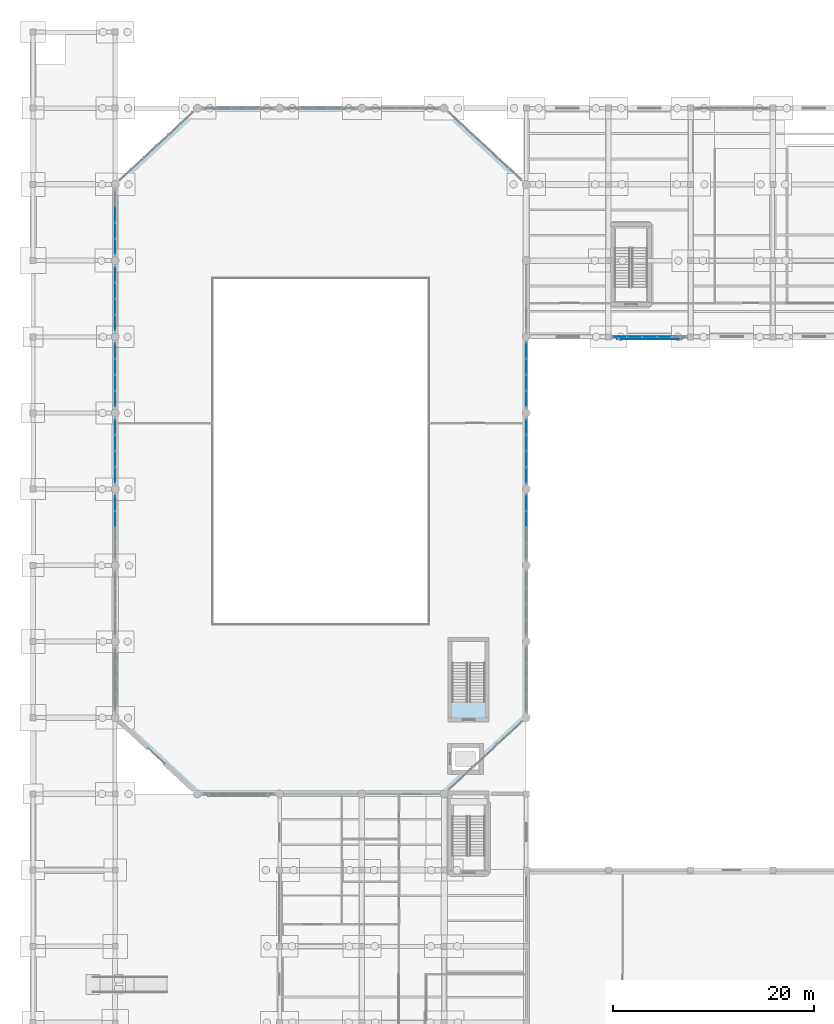
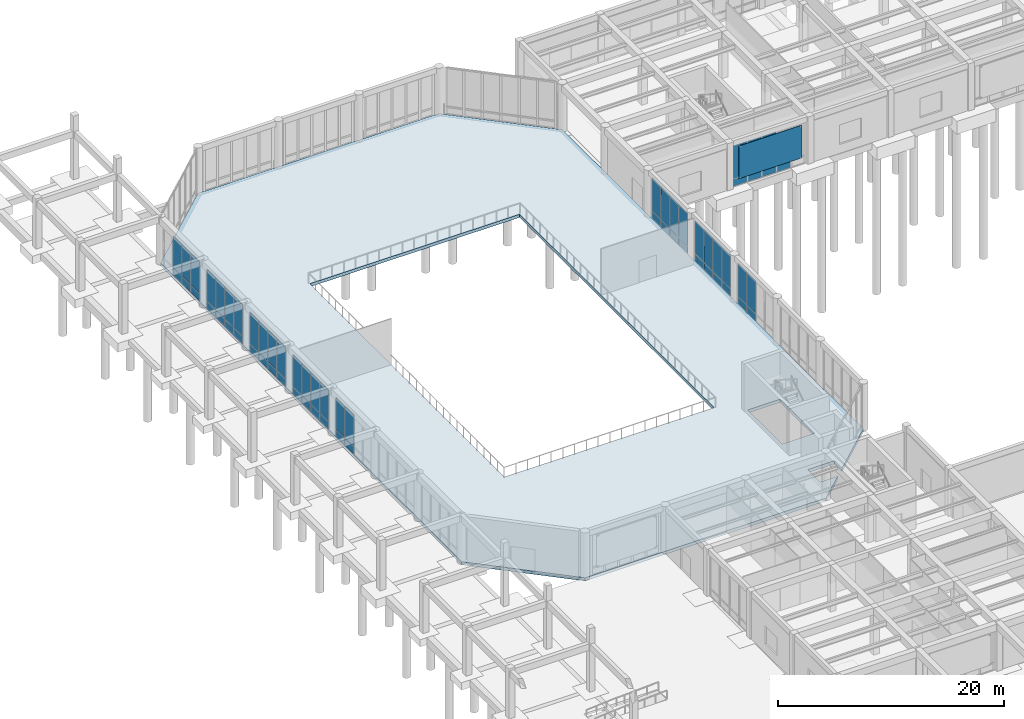
# One storey, part 38 of 64: 62 plates, 1 slab, 9 elements without a shape of their own.
"""IFC4 building model written with IfcOpenShell, lengths in metres."""

import ifcopenshell
import ifcopenshell.guid

model = None  # the IFC model being written
_history = None  # IfcOwnerHistory: only IFC2X3 demands one
_inside = {}  # id of a spatial element -> (the spatial element, [elements in it])
_under = {}  # id of a project, library or spatial element -> (it, [spatial elements below it])
_declared = {}  # id of a project -> (the project, [libraries it declares])
_typed = {}  # id of a type object -> (the type object, [elements of that type])
_made_of = {}  # id of a material, layer set ... -> (it, [elements and type objects made of it])


def new_model(schema):
    """Start an empty IFC model of exactly this schema.

    Asked for "IFC4X3", IfcOpenShell would pick the latest addendum, in which some entities
    have other attributes; the version numbers below select the first issue.
    IFC2X3 requires an IfcOwnerHistory on every rooted entity: one is made here for all.
    """
    global model, _history
    if schema == "IFC4X3":
        model = ifcopenshell.file(schema_version=(4, 3, 0, 0))
    else:
        model = ifcopenshell.file(schema=schema)
    _inside.clear()
    _under.clear()
    _declared.clear()
    _typed.clear()
    _made_of.clear()
    _history = None
    if model.schema == "IFC2X3":
        org = make("IfcOrganization", Name="unknown")
        user = make(
            "IfcPersonAndOrganization",
            ThePerson=make("IfcPerson", FamilyName="unknown"),
            TheOrganization=org,
        )
        app = make(
            "IfcApplication",
            ApplicationDeveloper=org,
            Version="unknown",
            ApplicationFullName="unknown",
            ApplicationIdentifier="unknown",
        )
        _history = make(
            "IfcOwnerHistory",
            OwningUser=user,
            OwningApplication=app,
            ChangeAction="ADDED",
            CreationDate=0,
        )
    return model


def make(cls, **values):
    """One entity of the class cls with the attributes given. An attribute that is None is left unset."""
    return model.create_entity(
        cls, **{name: value for name, value in values.items() if value is not None}
    )


def rooted(cls, **values):
    """An entity with a GlobalId (a new one), such as an element, a storey or a relation."""
    return make(cls, GlobalId=ifcopenshell.guid.new(), OwnerHistory=_history, **values)


def si_unit(unit_type, name, prefix=None):
    """IfcSIUnit, for example si_unit("LENGTHUNIT", "METRE", prefix="MILLI")."""
    return make("IfcSIUnit", UnitType=unit_type, Prefix=prefix, Name=name)


def assignment(units):
    """IfcUnitAssignment: the units of a project."""
    return None if units is None else make("IfcUnitAssignment", Units=units)


def point(xyz):
    """IfcCartesianPoint."""
    return None if xyz is None else make("IfcCartesianPoint", Coordinates=xyz)


def direction(xyz):
    """IfcDirection."""
    return None if xyz is None else make("IfcDirection", DirectionRatios=xyz)


def frame(location, z_axis=None, x_axis=None):
    """IfcAxis2Placement3D, a coordinate frame: its origin and axes. An axis left out is left unset."""
    return make(
        "IfcAxis2Placement3D",
        Location=point(location),
        Axis=direction(z_axis),
        RefDirection=direction(x_axis),
    )


def frame_2d(location, x_axis=None):
    """IfcAxis2Placement2D, a coordinate frame in the plane: its origin and x axis."""
    return make(
        "IfcAxis2Placement2D", Location=point(location), RefDirection=direction(x_axis)
    )


def origin():
    """The frame at (0, 0, 0) with its axes left unset."""
    return frame((0.0, 0.0, 0.0))


def origin_2d():
    """The frame at (0, 0) in the plane with its x axis left unset."""
    return frame_2d((0.0, 0.0))


def place(relative_to, where):
    """IfcLocalPlacement: puts the frame where relative to a parent placement (None: the world)."""
    return make(
        "IfcLocalPlacement", PlacementRelTo=relative_to, RelativePlacement=where
    )


def context(
    kind, dimensions, precision=None, world=None, true_north=None, identifier=None
):
    """IfcGeometricRepresentationContext, for example the 3D "Model" context."""
    return make(
        "IfcGeometricRepresentationContext",
        ContextIdentifier=identifier,
        ContextType=kind,
        CoordinateSpaceDimension=dimensions,
        Precision=precision,
        WorldCoordinateSystem=world,
        TrueNorth=true_north,
    )


def subcontext(parent, identifier, kind, view, scale=None):
    """IfcGeometricRepresentationSubContext, for example "Body" below "Model"."""
    return make(
        "IfcGeometricRepresentationSubContext",
        ContextIdentifier=identifier,
        ContextType=kind,
        ParentContext=parent,
        TargetScale=scale,
        TargetView=view,
    )


def project(units=None, contexts=None):
    """IfcProject with its units and contexts."""
    return rooted(
        "IfcProject",
        Name="project",
        RepresentationContexts=contexts,
        UnitsInContext=assignment(units),
    )


def spatial(cls, under=None, at=None, **own):
    """A site, building, storey or space (cls), placed at a placement, below another one or the project."""
    s = rooted(cls, ObjectPlacement=at, **own)
    if under is not None:
        _under.setdefault(under.id(), (under, []))[1].append(s)
    return s


def polyline(points):
    """IfcPolyline through the points."""
    return make("IfcPolyline", Points=[point(p) for p in points])


def profile(cls, at=None, kind="AREA", **sizes):
    """A parametric profile (cls). Its sizes go by their IFC names, for example OverallWidth=200.0."""
    return make(cls, ProfileType=kind, Position=at, **sizes)


def rectangle(**sizes):
    """IfcRectangleProfileDef."""
    return profile("IfcRectangleProfileDef", **sizes)


def outline(outer, holes=None, kind="AREA"):
    """IfcArbitraryClosedProfileDef: a profile drawn as a closed curve; with holes, ...WithVoids."""
    if holes is None:
        return make("IfcArbitraryClosedProfileDef", ProfileType=kind, OuterCurve=outer)
    return make(
        "IfcArbitraryProfileDefWithVoids",
        ProfileType=kind,
        OuterCurve=outer,
        InnerCurves=holes,
    )


def extrude(swept, where, along, depth):
    """IfcExtrudedAreaSolid: the profile swept, set in the frame where, extruded along a direction by depth."""
    return make(
        "IfcExtrudedAreaSolid",
        SweptArea=swept,
        Position=where,
        ExtrudedDirection=direction(along),
        Depth=depth,
    )


def shape(context_of_items, identifier, shape_type, items):
    """IfcShapeRepresentation: the items that make up one representation, for example the "Body"."""
    return make(
        "IfcShapeRepresentation",
        ContextOfItems=context_of_items,
        RepresentationIdentifier=identifier,
        RepresentationType=shape_type,
        Items=items,
    )


def material(Name=None, Category=None):
    """IfcMaterial."""
    return make("IfcMaterial", Name=Name, Category=Category)


def layer(
    of_material, thickness, ventilated=None, Name=None, Category=None, Priority=None
):
    """IfcMaterialLayer: one layer of a wall or slab, of a material (None: an air gap)."""
    return make(
        "IfcMaterialLayer",
        Material=of_material,
        LayerThickness=thickness,
        IsVentilated=ventilated,
        Name=Name,
        Category=Category,
        Priority=Priority,
    )


def layer_set(layers, Name=None):
    """IfcMaterialLayerSet."""
    return make("IfcMaterialLayerSet", MaterialLayers=layers, LayerSetName=Name)


def made_of(thing, what):
    """Note that an element or type object is made of a material, layer set ...; save() writes the relation."""
    if what is not None:
        _made_of.setdefault(what.id(), (what, []))[1].append(thing)
    return thing


def type_object(cls, material=None, **own):
    """A type object (cls), such as IfcWallType, which elements share."""
    return made_of(rooted(cls, **own), material)


def element(
    cls,
    number,
    at=None,
    inside=None,
    cuts=None,
    type_object=None,
    material=None,
    context=None,
    identifier="Body",
    shape_type=None,
    held_by="IfcProductDefinitionShape",
    body=None,
    shapes=None,
    **own,
):
    """One element of the class cls, such as IfcWall. Its Tag is "e" and its number.

    at: its placement. inside: the storey or other place that contains it. cuts: it is an
    opening in that element (IfcRelVoidsElement). A single representation is given by context,
    identifier, shape_type and body (its items); several are given by shapes. held_by: the class
    of the entity that holds the representations. save() writes the other relations.
    """
    e = rooted(cls, Tag="e%d" % number, ObjectPlacement=at, **own)
    if body is not None:
        shapes = [shape(context, identifier, shape_type, body)]
    if shapes is not None:
        e.Representation = make(held_by, Representations=shapes)
    if inside is not None:
        _inside.setdefault(inside.id(), (inside, []))[1].append(e)
    if cuts is not None:
        rooted(
            "IfcRelVoidsElement", RelatingBuildingElement=cuts, RelatedOpeningElement=e
        )
    if type_object is not None:
        _typed.setdefault(type_object.id(), (type_object, []))[1].append(e)
    return made_of(e, material)


def aggregate(whole, parts):
    """IfcRelAggregates: a whole, such as a stair, and the parts it consists of."""
    return rooted("IfcRelAggregates", RelatingObject=whole, RelatedObjects=parts)


def save(model, path):
    """Write the relations noted so far, then the file.

    IfcRelAggregates (storeys below a building ...), IfcRelContainedInSpatialStructure (elements
    in a storey), IfcRelDefinesByType, IfcRelAssociatesMaterial and IfcRelDeclares: one each for
    every whole, place, type object, material and project.
    """
    for whole, parts in _under.values():
        aggregate(whole, parts)
    for where, things in _inside.values():
        rooted(
            "IfcRelContainedInSpatialStructure",
            RelatedElements=things,
            RelatingStructure=where,
        )
    for kind, things in _typed.values():
        rooted("IfcRelDefinesByType", RelatedObjects=things, RelatingType=kind)
    for what, things in _made_of.values():
        rooted("IfcRelAssociatesMaterial", RelatedObjects=things, RelatingMaterial=what)
    for by, libraries in _declared.values():
        rooted("IfcRelDeclares", RelatingContext=by, RelatedDefinitions=libraries)
    model.write(path)


model = new_model("IFC4")

# Units and contexts
model_context = context("Model", 3, precision=1e-05, world=origin(), true_north=direction((0.0, 1.0)))
body_context = subcontext(model_context, "Body", "Model", "MODEL_VIEW")
ifc_project = project(units=[si_unit("LENGTHUNIT", "METRE"), si_unit("AREAUNIT", "SQUARE_METRE"), si_unit("VOLUMEUNIT", "CUBIC_METRE"), si_unit("PLANEANGLEUNIT", "RADIAN"), si_unit("MASSUNIT", "GRAM", prefix="KILO")], contexts=[model_context])

# Site, building, storey
site_placement = place(None, origin())
site = spatial("IfcSite", under=ifc_project, at=site_placement, CompositionType="ELEMENT")
building_placement = place(site_placement, origin())
building = spatial("IfcBuilding", under=site, at=building_placement, Name="Qandaris Square Conservatory and Botanical Centre", CompositionType="ELEMENT")
storey_placement = place(building_placement, origin())
storey = spatial("IfcBuildingStorey", under=building, at=storey_placement, Name="L00", CompositionType="ELEMENT", Elevation=0.0)

# Curtain wall, plates
ifc_material_1 = material(Name="Anodised Aluminium", Category="aluminium")
curtain_wall_type_1 = type_object("IfcCurtainWallType", Name="Unitised Curtain Wall CW-1-644x450", PredefinedType="USERDEFINED", material=ifc_material_1)
curtain_wall_1_placement = place(storey_placement, origin())
curtain_wall_1 = element("IfcCurtainWall", 1, at=curtain_wall_1_placement, inside=storey, type_object=curtain_wall_type_1, Name="Curtain Wall CW-CON-L00-3-3", ObjectType="GLAZED CURTAIN WALL", PredefinedType="USERDEFINED")
ifc_material_2 = material(Name="Tempered Low-E Glass", Category="glass")
ifc_layer_1 = layer(ifc_material_2, 0.0400390625)
ifc_layer_set_1 = layer_set([ifc_layer_1], Name="Tempered Low-E Glass")
plate_type_1 = type_object("IfcPlateType", Name="Conservatory Laminated Low-Iron Biome Glass 40mm", PredefinedType="CURTAIN_PANEL", material=ifc_layer_set_1)
plate_1_placement = place(storey_placement, frame((57.199951171875, 74.405029296875, 0.0751953125), z_axis=(0.0, 0.0, 1.0), x_axis=(0.0, 1.0, 0.0)))
plate_1 = element("IfcPlate", 2, at=plate_1_placement, type_object=plate_type_1, Name="CW-1-644x450 panel 3.1", PredefinedType="CURTAIN_PANEL", context=body_context, shape_type="SweptSolid", body=[
    extrude(rectangle(XDim=1.534912109375, YDim=0.0400390625, at=origin_2d()), origin(), (0.0, 0.0, 1.0), 0.737548828125),
])
plate_2_placement = place(storey_placement, frame((57.199951171875, 74.405029296875, 0.887451171875), z_axis=(0.0, 0.0, 1.0), x_axis=(0.0, 1.0, 0.0)))
plate_2 = element("IfcPlate", 3, at=plate_2_placement, type_object=plate_type_1, Name="CW-1-644x450 panel 3.2", PredefinedType="CURTAIN_PANEL", context=body_context, shape_type="SweptSolid", body=[
    extrude(rectangle(XDim=1.534912109375, YDim=0.0400390625, at=origin_2d()), origin(), (0.0, 0.0, 1.0), 3.53759765625),
])
plate_3_placement = place(storey_placement, frame((57.199951171875, 75.996337890625, 0.0751953125), z_axis=(0.0, 0.0, 1.0), x_axis=(0.0, 1.0, 0.0)))
plate_3 = element("IfcPlate", 4, at=plate_3_placement, type_object=plate_type_1, Name="CW-1-644x450 panel 4.1", PredefinedType="CURTAIN_PANEL", context=body_context, shape_type="SweptSolid", body=[
    extrude(rectangle(XDim=1.49755859375, YDim=0.0400390625, at=origin_2d()), origin(), (0.0, 0.0, 1.0), 0.737548828125),
])
plate_4_placement = place(storey_placement, frame((57.199951171875, 75.996337890625, 0.887451171875), z_axis=(0.0, 0.0, 1.0), x_axis=(0.0, 1.0, 0.0)))
plate_4 = element("IfcPlate", 5, at=plate_4_placement, type_object=plate_type_1, Name="CW-1-644x450 panel 4.2", PredefinedType="CURTAIN_PANEL", context=body_context, shape_type="SweptSolid", body=[
    extrude(rectangle(XDim=1.49755859375, YDim=0.0400390625, at=origin_2d()), origin(), (0.0, 0.0, 1.0), 3.53759765625),
])
aggregate(curtain_wall_1, [plate_1, plate_2, plate_3, plate_4])

curtain_wall_2_placement = place(storey_placement, origin())
curtain_wall_2 = element("IfcCurtainWall", 6, at=curtain_wall_2_placement, inside=storey, type_object=curtain_wall_type_1, Name="Curtain Wall CW-CON-L00-3-4", ObjectType="GLAZED CURTAIN WALL", PredefinedType="USERDEFINED")
plate_5_placement = place(storey_placement, frame((57.199951171875, 78.8037109375, 0.0751953125), z_axis=(0.0, 0.0, 1.0), x_axis=(0.0, 1.0, 0.0)))
plate_5 = element("IfcPlate", 7, at=plate_5_placement, type_object=plate_type_1, Name="CW-1-644x450 panel 1.1", PredefinedType="CURTAIN_PANEL", context=body_context, shape_type="SweptSolid", body=[
    extrude(rectangle(XDim=1.49755859375, YDim=0.0400390625, at=origin_2d()), origin(), (0.0, 0.0, 1.0), 0.737548828125),
])
plate_6_placement = place(storey_placement, frame((57.199951171875, 78.8037109375, 0.887451171875), z_axis=(0.0, 0.0, 1.0), x_axis=(0.0, 1.0, 0.0)))
plate_6 = element("IfcPlate", 8, at=plate_6_placement, type_object=plate_type_1, Name="CW-1-644x450 panel 1.2", PredefinedType="CURTAIN_PANEL", context=body_context, shape_type="SweptSolid", body=[
    extrude(rectangle(XDim=1.49755859375, YDim=0.0400390625, at=origin_2d()), origin(), (0.0, 0.0, 1.0), 3.53759765625),
])
plate_7_placement = place(storey_placement, frame((57.199951171875, 80.39501953125, 0.0751953125), z_axis=(0.0, 0.0, 1.0), x_axis=(0.0, 1.0, 0.0)))
plate_7 = element("IfcPlate", 9, at=plate_7_placement, type_object=plate_type_1, Name="CW-1-644x450 panel 2.1", PredefinedType="CURTAIN_PANEL", context=body_context, shape_type="SweptSolid", body=[
    extrude(rectangle(XDim=1.534912109375, YDim=0.0400390625, at=origin_2d()), origin(), (0.0, 0.0, 1.0), 0.737548828125),
])
plate_8_placement = place(storey_placement, frame((57.199951171875, 80.39501953125, 0.887451171875), z_axis=(0.0, 0.0, 1.0), x_axis=(0.0, 1.0, 0.0)))
plate_8 = element("IfcPlate", 10, at=plate_8_placement, type_object=plate_type_1, Name="CW-1-644x450 panel 2.2", PredefinedType="CURTAIN_PANEL", context=body_context, shape_type="SweptSolid", body=[
    extrude(rectangle(XDim=1.534912109375, YDim=0.0400390625, at=origin_2d()), origin(), (0.0, 0.0, 1.0), 3.53759765625),
])
plate_9_placement = place(storey_placement, frame((57.199951171875, 82.0048828125, 0.0751953125), z_axis=(0.0, 0.0, 1.0), x_axis=(0.0, 1.0, 0.0)))
plate_9 = element("IfcPlate", 11, at=plate_9_placement, type_object=plate_type_1, Name="CW-1-644x450 panel 3.1", PredefinedType="CURTAIN_PANEL", context=body_context, shape_type="SweptSolid", body=[
    extrude(rectangle(XDim=1.534912109375, YDim=0.0400390625, at=origin_2d()), origin(), (0.0, 0.0, 1.0), 0.737548828125),
])
plate_10_placement = place(storey_placement, frame((57.199951171875, 82.0048828125, 0.887451171875), z_axis=(0.0, 0.0, 1.0), x_axis=(0.0, 1.0, 0.0)))
plate_10 = element("IfcPlate", 12, at=plate_10_placement, type_object=plate_type_1, Name="CW-1-644x450 panel 3.2", PredefinedType="CURTAIN_PANEL", context=body_context, shape_type="SweptSolid", body=[
    extrude(rectangle(XDim=1.534912109375, YDim=0.0400390625, at=origin_2d()), origin(), (0.0, 0.0, 1.0), 3.53759765625),
])
plate_11_placement = place(storey_placement, frame((57.199951171875, 83.59619140625, 0.0751953125), z_axis=(0.0, 0.0, 1.0), x_axis=(0.0, 1.0, 0.0)))
plate_11 = element("IfcPlate", 13, at=plate_11_placement, type_object=plate_type_1, Name="CW-1-644x450 panel 4.1", PredefinedType="CURTAIN_PANEL", context=body_context, shape_type="SweptSolid", body=[
    extrude(rectangle(XDim=1.49755859375, YDim=0.0400390625, at=origin_2d()), origin(), (0.0, 0.0, 1.0), 0.737548828125),
])
plate_12_placement = place(storey_placement, frame((57.199951171875, 83.59619140625, 0.887451171875), z_axis=(0.0, 0.0, 1.0), x_axis=(0.0, 1.0, 0.0)))
plate_12 = element("IfcPlate", 14, at=plate_12_placement, type_object=plate_type_1, Name="CW-1-644x450 panel 4.2", PredefinedType="CURTAIN_PANEL", context=body_context, shape_type="SweptSolid", body=[
    extrude(rectangle(XDim=1.49755859375, YDim=0.0400390625, at=origin_2d()), origin(), (0.0, 0.0, 1.0), 3.53759765625),
])
aggregate(curtain_wall_2, [plate_5, plate_6, plate_7, plate_8, plate_9, plate_10, plate_11, plate_12])

curtain_wall_3_placement = place(storey_placement, origin())
curtain_wall_3 = element("IfcCurtainWall", 15, at=curtain_wall_3_placement, inside=storey, type_object=curtain_wall_type_1, Name="Curtain Wall CW-CON-L00-3-5", ObjectType="GLAZED CURTAIN WALL", PredefinedType="USERDEFINED")
plate_13_placement = place(storey_placement, frame((57.199951171875, 86.40380859375, 0.0751953125), z_axis=(0.0, 0.0, 1.0), x_axis=(0.0, 1.0, 0.0)))
plate_13 = element("IfcPlate", 16, at=plate_13_placement, type_object=plate_type_1, Name="CW-1-644x450 panel 1.1", PredefinedType="CURTAIN_PANEL", context=body_context, shape_type="SweptSolid", body=[
    extrude(rectangle(XDim=1.49755859375, YDim=0.0400390625, at=origin_2d()), origin(), (0.0, 0.0, 1.0), 0.737548828125),
])
plate_14_placement = place(storey_placement, frame((57.199951171875, 86.40380859375, 0.887451171875), z_axis=(0.0, 0.0, 1.0), x_axis=(0.0, 1.0, 0.0)))
plate_14 = element("IfcPlate", 17, at=plate_14_placement, type_object=plate_type_1, Name="CW-1-644x450 panel 1.2", PredefinedType="CURTAIN_PANEL", context=body_context, shape_type="SweptSolid", body=[
    extrude(rectangle(XDim=1.49755859375, YDim=0.0400390625, at=origin_2d()), origin(), (0.0, 0.0, 1.0), 3.53759765625),
])
plate_15_placement = place(storey_placement, frame((57.199951171875, 87.9951171875, 0.0751953125), z_axis=(0.0, 0.0, 1.0), x_axis=(0.0, 1.0, 0.0)))
plate_15 = element("IfcPlate", 18, at=plate_15_placement, type_object=plate_type_1, Name="CW-1-644x450 panel 2.1", PredefinedType="CURTAIN_PANEL", context=body_context, shape_type="SweptSolid", body=[
    extrude(rectangle(XDim=1.534912109375, YDim=0.0400390625, at=origin_2d()), origin(), (0.0, 0.0, 1.0), 0.737548828125),
])
plate_16_placement = place(storey_placement, frame((57.199951171875, 87.9951171875, 0.887451171875), z_axis=(0.0, 0.0, 1.0), x_axis=(0.0, 1.0, 0.0)))
plate_16 = element("IfcPlate", 19, at=plate_16_placement, type_object=plate_type_1, Name="CW-1-644x450 panel 2.2", PredefinedType="CURTAIN_PANEL", context=body_context, shape_type="SweptSolid", body=[
    extrude(rectangle(XDim=1.534912109375, YDim=0.0400390625, at=origin_2d()), origin(), (0.0, 0.0, 1.0), 3.53759765625),
])
plate_17_placement = place(storey_placement, frame((57.199951171875, 89.60498046875, 0.0751953125), z_axis=(0.0, 0.0, 1.0), x_axis=(0.0, 1.0, 0.0)))
plate_17 = element("IfcPlate", 20, at=plate_17_placement, type_object=plate_type_1, Name="CW-1-644x450 panel 3.1", PredefinedType="CURTAIN_PANEL", context=body_context, shape_type="SweptSolid", body=[
    extrude(rectangle(XDim=1.534912109375, YDim=0.0400390625, at=origin_2d()), origin(), (0.0, 0.0, 1.0), 0.737548828125),
])
plate_18_placement = place(storey_placement, frame((57.199951171875, 89.60498046875, 0.887451171875), z_axis=(0.0, 0.0, 1.0), x_axis=(0.0, 1.0, 0.0)))
plate_18 = element("IfcPlate", 21, at=plate_18_placement, type_object=plate_type_1, Name="CW-1-644x450 panel 3.2", PredefinedType="CURTAIN_PANEL", context=body_context, shape_type="SweptSolid", body=[
    extrude(rectangle(XDim=1.534912109375, YDim=0.0400390625, at=origin_2d()), origin(), (0.0, 0.0, 1.0), 3.53759765625),
])
plate_19_placement = place(storey_placement, frame((57.199951171875, 91.1962890625, 0.0751953125), z_axis=(0.0, 0.0, 1.0), x_axis=(0.0, 1.0, 0.0)))
plate_19 = element("IfcPlate", 22, at=plate_19_placement, type_object=plate_type_1, Name="CW-1-644x450 panel 4.1", PredefinedType="CURTAIN_PANEL", context=body_context, shape_type="SweptSolid", body=[
    extrude(rectangle(XDim=1.49755859375, YDim=0.0400390625, at=origin_2d()), origin(), (0.0, 0.0, 1.0), 0.737548828125),
])
plate_20_placement = place(storey_placement, frame((57.199951171875, 91.1962890625, 0.887451171875), z_axis=(0.0, 0.0, 1.0), x_axis=(0.0, 1.0, 0.0)))
plate_20 = element("IfcPlate", 23, at=plate_20_placement, type_object=plate_type_1, Name="CW-1-644x450 panel 4.2", PredefinedType="CURTAIN_PANEL", context=body_context, shape_type="SweptSolid", body=[
    extrude(rectangle(XDim=1.49755859375, YDim=0.0400390625, at=origin_2d()), origin(), (0.0, 0.0, 1.0), 3.53759765625),
])
aggregate(curtain_wall_3, [plate_13, plate_14, plate_15, plate_16, plate_17, plate_18, plate_19, plate_20])

curtain_wall_type_2 = type_object("IfcCurtainWallType", Name="Unitised Curtain Wall CW-1-644x435", PredefinedType="USERDEFINED", material=ifc_material_1)
curtain_wall_4_placement = place(storey_placement, origin())
curtain_wall_4 = element("IfcCurtainWall", 24, at=curtain_wall_4_placement, inside=storey, type_object=curtain_wall_type_2, Name="Curtain Wall CW-CON-L00-7-1", ObjectType="GLAZED CURTAIN WALL", PredefinedType="USERDEFINED")
plate_21_placement = place(storey_placement, frame((16.199951171875, 104.804931640625, 0.0751953125), z_axis=(0.0, 0.0, 1.0), x_axis=(0.0, -1.0, 0.0)))
plate_21 = element("IfcPlate", 25, at=plate_21_placement, type_object=plate_type_1, Name="CW-1-644x435 panel 2.1", PredefinedType="CURTAIN_PANEL", context=body_context, shape_type="SweptSolid", body=[
    extrude(rectangle(XDim=1.534912109375, YDim=0.0400390625, at=origin_2d()), origin(), (0.0, 0.0, 1.0), 0.737548828125),
])
plate_22_placement = place(storey_placement, frame((16.199951171875, 104.804931640625, 0.8876953125), z_axis=(0.0, 0.0, 1.0), x_axis=(0.0, -1.0, 0.0)))
plate_22 = element("IfcPlate", 26, at=plate_22_placement, type_object=plate_type_1, Name="CW-1-644x435 panel 2.2", PredefinedType="CURTAIN_PANEL", context=body_context, shape_type="SweptSolid", body=[
    extrude(rectangle(XDim=1.534912109375, YDim=0.0400390625, at=origin_2d()), origin(), (0.0, 0.0, 1.0), 3.387451171875),
])
plate_23_placement = place(storey_placement, frame((16.199951171875, 103.195068359375, 0.0751953125), z_axis=(0.0, 0.0, 1.0), x_axis=(0.0, -1.0, 0.0)))
plate_23 = element("IfcPlate", 27, at=plate_23_placement, type_object=plate_type_1, Name="CW-1-644x435 panel 3.1", PredefinedType="CURTAIN_PANEL", context=body_context, shape_type="SweptSolid", body=[
    extrude(rectangle(XDim=1.534912109375, YDim=0.0400390625, at=origin_2d()), origin(), (0.0, 0.0, 1.0), 0.737548828125),
])
plate_24_placement = place(storey_placement, frame((16.199951171875, 103.195068359375, 0.8876953125), z_axis=(0.0, 0.0, 1.0), x_axis=(0.0, -1.0, 0.0)))
plate_24 = element("IfcPlate", 28, at=plate_24_placement, type_object=plate_type_1, Name="CW-1-644x435 panel 3.2", PredefinedType="CURTAIN_PANEL", context=body_context, shape_type="SweptSolid", body=[
    extrude(rectangle(XDim=1.534912109375, YDim=0.0400390625, at=origin_2d()), origin(), (0.0, 0.0, 1.0), 3.387451171875),
])
plate_25_placement = place(storey_placement, frame((16.199951171875, 101.603759765625, 0.0751953125), z_axis=(0.0, 0.0, 1.0), x_axis=(0.0, -1.0, 0.0)))
plate_25 = element("IfcPlate", 29, at=plate_25_placement, type_object=plate_type_1, Name="CW-1-644x435 panel 4.1", PredefinedType="CURTAIN_PANEL", context=body_context, shape_type="SweptSolid", body=[
    extrude(rectangle(XDim=1.49755859375, YDim=0.0400390625, at=origin_2d()), origin(), (0.0, 0.0, 1.0), 0.737548828125),
])
plate_26_placement = place(storey_placement, frame((16.199951171875, 101.603759765625, 0.8876953125), z_axis=(0.0, 0.0, 1.0), x_axis=(0.0, -1.0, 0.0)))
plate_26 = element("IfcPlate", 30, at=plate_26_placement, type_object=plate_type_1, Name="CW-1-644x435 panel 4.2", PredefinedType="CURTAIN_PANEL", context=body_context, shape_type="SweptSolid", body=[
    extrude(rectangle(XDim=1.49755859375, YDim=0.0400390625, at=origin_2d()), origin(), (0.0, 0.0, 1.0), 3.387451171875),
])
aggregate(curtain_wall_4, [plate_21, plate_22, plate_23, plate_24, plate_25, plate_26])

curtain_wall_5_placement = place(storey_placement, origin())
curtain_wall_5 = element("IfcCurtainWall", 31, at=curtain_wall_5_placement, inside=storey, type_object=curtain_wall_type_2, Name="Curtain Wall CW-CON-L00-7-2", ObjectType="GLAZED CURTAIN WALL", PredefinedType="USERDEFINED")
plate_27_placement = place(storey_placement, frame((16.199951171875, 98.796142578125, 0.0751953125), z_axis=(0.0, 0.0, 1.0), x_axis=(0.0, -1.0, 0.0)))
plate_27 = element("IfcPlate", 32, at=plate_27_placement, type_object=plate_type_1, Name="CW-1-644x435 panel 1.1", PredefinedType="CURTAIN_PANEL", context=body_context, shape_type="SweptSolid", body=[
    extrude(rectangle(XDim=1.49755859375, YDim=0.0400390625, at=origin_2d()), origin(), (0.0, 0.0, 1.0), 0.737548828125),
])
plate_28_placement = place(storey_placement, frame((16.199951171875, 98.796142578125, 0.8876953125), z_axis=(0.0, 0.0, 1.0), x_axis=(0.0, -1.0, 0.0)))
plate_28 = element("IfcPlate", 33, at=plate_28_placement, type_object=plate_type_1, Name="CW-1-644x435 panel 1.2", PredefinedType="CURTAIN_PANEL", context=body_context, shape_type="SweptSolid", body=[
    extrude(rectangle(XDim=1.49755859375, YDim=0.0400390625, at=origin_2d()), origin(), (0.0, 0.0, 1.0), 3.387451171875),
])
plate_29_placement = place(storey_placement, frame((16.199951171875, 97.205078125, 0.0751953125), z_axis=(0.0, 0.0, 1.0), x_axis=(0.0, -1.0, 0.0)))
plate_29 = element("IfcPlate", 34, at=plate_29_placement, type_object=plate_type_1, Name="CW-1-644x435 panel 2.1", PredefinedType="CURTAIN_PANEL", context=body_context, shape_type="SweptSolid", body=[
    extrude(rectangle(XDim=1.534912109375, YDim=0.0400390625, at=origin_2d()), origin(), (0.0, 0.0, 1.0), 0.737548828125),
])
plate_30_placement = place(storey_placement, frame((16.199951171875, 97.205078125, 0.8876953125), z_axis=(0.0, 0.0, 1.0), x_axis=(0.0, -1.0, 0.0)))
plate_30 = element("IfcPlate", 35, at=plate_30_placement, type_object=plate_type_1, Name="CW-1-644x435 panel 2.2", PredefinedType="CURTAIN_PANEL", context=body_context, shape_type="SweptSolid", body=[
    extrude(rectangle(XDim=1.534912109375, YDim=0.0400390625, at=origin_2d()), origin(), (0.0, 0.0, 1.0), 3.387451171875),
])
plate_31_placement = place(storey_placement, frame((16.199951171875, 95.594970703125, 0.0751953125), z_axis=(0.0, 0.0, 1.0), x_axis=(0.0, -1.0, 0.0)))
plate_31 = element("IfcPlate", 36, at=plate_31_placement, type_object=plate_type_1, Name="CW-1-644x435 panel 3.1", PredefinedType="CURTAIN_PANEL", context=body_context, shape_type="SweptSolid", body=[
    extrude(rectangle(XDim=1.534912109375, YDim=0.0400390625, at=origin_2d()), origin(), (0.0, 0.0, 1.0), 0.737548828125),
])
plate_32_placement = place(storey_placement, frame((16.199951171875, 95.594970703125, 0.8876953125), z_axis=(0.0, 0.0, 1.0), x_axis=(0.0, -1.0, 0.0)))
plate_32 = element("IfcPlate", 37, at=plate_32_placement, type_object=plate_type_1, Name="CW-1-644x435 panel 3.2", PredefinedType="CURTAIN_PANEL", context=body_context, shape_type="SweptSolid", body=[
    extrude(rectangle(XDim=1.534912109375, YDim=0.0400390625, at=origin_2d()), origin(), (0.0, 0.0, 1.0), 3.387451171875),
])
plate_33_placement = place(storey_placement, frame((16.199951171875, 94.003662109375, 0.0751953125), z_axis=(0.0, 0.0, 1.0), x_axis=(0.0, -1.0, 0.0)))
plate_33 = element("IfcPlate", 38, at=plate_33_placement, type_object=plate_type_1, Name="CW-1-644x435 panel 4.1", PredefinedType="CURTAIN_PANEL", context=body_context, shape_type="SweptSolid", body=[
    extrude(rectangle(XDim=1.49755859375, YDim=0.0400390625, at=origin_2d()), origin(), (0.0, 0.0, 1.0), 0.737548828125),
])
plate_34_placement = place(storey_placement, frame((16.199951171875, 94.003662109375, 0.8876953125), z_axis=(0.0, 0.0, 1.0), x_axis=(0.0, -1.0, 0.0)))
plate_34 = element("IfcPlate", 39, at=plate_34_placement, type_object=plate_type_1, Name="CW-1-644x435 panel 4.2", PredefinedType="CURTAIN_PANEL", context=body_context, shape_type="SweptSolid", body=[
    extrude(rectangle(XDim=1.49755859375, YDim=0.0400390625, at=origin_2d()), origin(), (0.0, 0.0, 1.0), 3.387451171875),
])
aggregate(curtain_wall_5, [plate_27, plate_28, plate_29, plate_30, plate_31, plate_32, plate_33, plate_34])

curtain_wall_6_placement = place(storey_placement, origin())
curtain_wall_6 = element("IfcCurtainWall", 40, at=curtain_wall_6_placement, inside=storey, type_object=curtain_wall_type_2, Name="Curtain Wall CW-CON-L00-7-3", ObjectType="GLAZED CURTAIN WALL", PredefinedType="USERDEFINED")
plate_35_placement = place(storey_placement, frame((16.199951171875, 91.1962890625, 0.0751953125), z_axis=(0.0, 0.0, 1.0), x_axis=(0.0, -1.0, 0.0)))
plate_35 = element("IfcPlate", 41, at=plate_35_placement, type_object=plate_type_1, Name="CW-1-644x435 panel 1.1", PredefinedType="CURTAIN_PANEL", context=body_context, shape_type="SweptSolid", body=[
    extrude(rectangle(XDim=1.49755859375, YDim=0.0400390625, at=origin_2d()), origin(), (0.0, 0.0, 1.0), 0.737548828125),
])
plate_36_placement = place(storey_placement, frame((16.199951171875, 91.1962890625, 0.8876953125), z_axis=(0.0, 0.0, 1.0), x_axis=(0.0, -1.0, 0.0)))
plate_36 = element("IfcPlate", 42, at=plate_36_placement, type_object=plate_type_1, Name="CW-1-644x435 panel 1.2", PredefinedType="CURTAIN_PANEL", context=body_context, shape_type="SweptSolid", body=[
    extrude(rectangle(XDim=1.49755859375, YDim=0.0400390625, at=origin_2d()), origin(), (0.0, 0.0, 1.0), 3.387451171875),
])
plate_37_placement = place(storey_placement, frame((16.199951171875, 89.60498046875, 0.0751953125), z_axis=(0.0, 0.0, 1.0), x_axis=(0.0, -1.0, 0.0)))
plate_37 = element("IfcPlate", 43, at=plate_37_placement, type_object=plate_type_1, Name="CW-1-644x435 panel 2.1", PredefinedType="CURTAIN_PANEL", context=body_context, shape_type="SweptSolid", body=[
    extrude(rectangle(XDim=1.534912109375, YDim=0.0400390625, at=origin_2d()), origin(), (0.0, 0.0, 1.0), 0.737548828125),
])
plate_38_placement = place(storey_placement, frame((16.199951171875, 89.60498046875, 0.8876953125), z_axis=(0.0, 0.0, 1.0), x_axis=(0.0, -1.0, 0.0)))
plate_38 = element("IfcPlate", 44, at=plate_38_placement, type_object=plate_type_1, Name="CW-1-644x435 panel 2.2", PredefinedType="CURTAIN_PANEL", context=body_context, shape_type="SweptSolid", body=[
    extrude(rectangle(XDim=1.534912109375, YDim=0.0400390625, at=origin_2d()), origin(), (0.0, 0.0, 1.0), 3.387451171875),
])
plate_39_placement = place(storey_placement, frame((16.199951171875, 87.9951171875, 0.0751953125), z_axis=(0.0, 0.0, 1.0), x_axis=(0.0, -1.0, 0.0)))
plate_39 = element("IfcPlate", 45, at=plate_39_placement, type_object=plate_type_1, Name="CW-1-644x435 panel 3.1", PredefinedType="CURTAIN_PANEL", context=body_context, shape_type="SweptSolid", body=[
    extrude(rectangle(XDim=1.534912109375, YDim=0.0400390625, at=origin_2d()), origin(), (0.0, 0.0, 1.0), 0.737548828125),
])
plate_40_placement = place(storey_placement, frame((16.199951171875, 87.9951171875, 0.8876953125), z_axis=(0.0, 0.0, 1.0), x_axis=(0.0, -1.0, 0.0)))
plate_40 = element("IfcPlate", 46, at=plate_40_placement, type_object=plate_type_1, Name="CW-1-644x435 panel 3.2", PredefinedType="CURTAIN_PANEL", context=body_context, shape_type="SweptSolid", body=[
    extrude(rectangle(XDim=1.534912109375, YDim=0.0400390625, at=origin_2d()), origin(), (0.0, 0.0, 1.0), 3.387451171875),
])
plate_41_placement = place(storey_placement, frame((16.199951171875, 86.40380859375, 0.0751953125), z_axis=(0.0, 0.0, 1.0), x_axis=(0.0, -1.0, 0.0)))
plate_41 = element("IfcPlate", 47, at=plate_41_placement, type_object=plate_type_1, Name="CW-1-644x435 panel 4.1", PredefinedType="CURTAIN_PANEL", context=body_context, shape_type="SweptSolid", body=[
    extrude(rectangle(XDim=1.49755859375, YDim=0.0400390625, at=origin_2d()), origin(), (0.0, 0.0, 1.0), 0.737548828125),
])
plate_42_placement = place(storey_placement, frame((16.199951171875, 86.40380859375, 0.8876953125), z_axis=(0.0, 0.0, 1.0), x_axis=(0.0, -1.0, 0.0)))
plate_42 = element("IfcPlate", 48, at=plate_42_placement, type_object=plate_type_1, Name="CW-1-644x435 panel 4.2", PredefinedType="CURTAIN_PANEL", context=body_context, shape_type="SweptSolid", body=[
    extrude(rectangle(XDim=1.49755859375, YDim=0.0400390625, at=origin_2d()), origin(), (0.0, 0.0, 1.0), 3.387451171875),
])
aggregate(curtain_wall_6, [plate_35, plate_36, plate_37, plate_38, plate_39, plate_40, plate_41, plate_42])

curtain_wall_7_placement = place(storey_placement, origin())
curtain_wall_7 = element("IfcCurtainWall", 49, at=curtain_wall_7_placement, inside=storey, type_object=curtain_wall_type_2, Name="Curtain Wall CW-CON-L00-7-4", ObjectType="GLAZED CURTAIN WALL", PredefinedType="USERDEFINED")
plate_43_placement = place(storey_placement, frame((16.199951171875, 83.59619140625, 0.0751953125), z_axis=(0.0, 0.0, 1.0), x_axis=(0.0, -1.0, 0.0)))
plate_43 = element("IfcPlate", 50, at=plate_43_placement, type_object=plate_type_1, Name="CW-1-644x435 panel 1.1", PredefinedType="CURTAIN_PANEL", context=body_context, shape_type="SweptSolid", body=[
    extrude(rectangle(XDim=1.49755859375, YDim=0.0400390625, at=origin_2d()), origin(), (0.0, 0.0, 1.0), 0.737548828125),
])
plate_44_placement = place(storey_placement, frame((16.199951171875, 83.59619140625, 0.8876953125), z_axis=(0.0, 0.0, 1.0), x_axis=(0.0, -1.0, 0.0)))
plate_44 = element("IfcPlate", 51, at=plate_44_placement, type_object=plate_type_1, Name="CW-1-644x435 panel 1.2", PredefinedType="CURTAIN_PANEL", context=body_context, shape_type="SweptSolid", body=[
    extrude(rectangle(XDim=1.49755859375, YDim=0.0400390625, at=origin_2d()), origin(), (0.0, 0.0, 1.0), 3.387451171875),
])
plate_45_placement = place(storey_placement, frame((16.199951171875, 82.0048828125, 0.0751953125), z_axis=(0.0, 0.0, 1.0), x_axis=(0.0, -1.0, 0.0)))
plate_45 = element("IfcPlate", 52, at=plate_45_placement, type_object=plate_type_1, Name="CW-1-644x435 panel 2.1", PredefinedType="CURTAIN_PANEL", context=body_context, shape_type="SweptSolid", body=[
    extrude(rectangle(XDim=1.534912109375, YDim=0.0400390625, at=origin_2d()), origin(), (0.0, 0.0, 1.0), 0.737548828125),
])
plate_46_placement = place(storey_placement, frame((16.199951171875, 82.0048828125, 0.8876953125), z_axis=(0.0, 0.0, 1.0), x_axis=(0.0, -1.0, 0.0)))
plate_46 = element("IfcPlate", 53, at=plate_46_placement, type_object=plate_type_1, Name="CW-1-644x435 panel 2.2", PredefinedType="CURTAIN_PANEL", context=body_context, shape_type="SweptSolid", body=[
    extrude(rectangle(XDim=1.534912109375, YDim=0.0400390625, at=origin_2d()), origin(), (0.0, 0.0, 1.0), 3.387451171875),
])
plate_47_placement = place(storey_placement, frame((16.199951171875, 80.39501953125, 0.0751953125), z_axis=(0.0, 0.0, 1.0), x_axis=(0.0, -1.0, 0.0)))
plate_47 = element("IfcPlate", 54, at=plate_47_placement, type_object=plate_type_1, Name="CW-1-644x435 panel 3.1", PredefinedType="CURTAIN_PANEL", context=body_context, shape_type="SweptSolid", body=[
    extrude(rectangle(XDim=1.534912109375, YDim=0.0400390625, at=origin_2d()), origin(), (0.0, 0.0, 1.0), 0.737548828125),
])
plate_48_placement = place(storey_placement, frame((16.199951171875, 80.39501953125, 0.8876953125), z_axis=(0.0, 0.0, 1.0), x_axis=(0.0, -1.0, 0.0)))
plate_48 = element("IfcPlate", 55, at=plate_48_placement, type_object=plate_type_1, Name="CW-1-644x435 panel 3.2", PredefinedType="CURTAIN_PANEL", context=body_context, shape_type="SweptSolid", body=[
    extrude(rectangle(XDim=1.534912109375, YDim=0.0400390625, at=origin_2d()), origin(), (0.0, 0.0, 1.0), 3.387451171875),
])
plate_49_placement = place(storey_placement, frame((16.199951171875, 78.8037109375, 0.0751953125), z_axis=(0.0, 0.0, 1.0), x_axis=(0.0, -1.0, 0.0)))
plate_49 = element("IfcPlate", 56, at=plate_49_placement, type_object=plate_type_1, Name="CW-1-644x435 panel 4.1", PredefinedType="CURTAIN_PANEL", context=body_context, shape_type="SweptSolid", body=[
    extrude(rectangle(XDim=1.49755859375, YDim=0.0400390625, at=origin_2d()), origin(), (0.0, 0.0, 1.0), 0.737548828125),
])
plate_50_placement = place(storey_placement, frame((16.199951171875, 78.8037109375, 0.8876953125), z_axis=(0.0, 0.0, 1.0), x_axis=(0.0, -1.0, 0.0)))
plate_50 = element("IfcPlate", 57, at=plate_50_placement, type_object=plate_type_1, Name="CW-1-644x435 panel 4.2", PredefinedType="CURTAIN_PANEL", context=body_context, shape_type="SweptSolid", body=[
    extrude(rectangle(XDim=1.49755859375, YDim=0.0400390625, at=origin_2d()), origin(), (0.0, 0.0, 1.0), 3.387451171875),
])
aggregate(curtain_wall_7, [plate_43, plate_44, plate_45, plate_46, plate_47, plate_48, plate_49, plate_50])

curtain_wall_8_placement = place(storey_placement, origin())
curtain_wall_8 = element("IfcCurtainWall", 58, at=curtain_wall_8_placement, inside=storey, type_object=curtain_wall_type_2, Name="Curtain Wall CW-CON-L00-7-5", ObjectType="GLAZED CURTAIN WALL", PredefinedType="USERDEFINED")
plate_51_placement = place(storey_placement, frame((16.199951171875, 75.996337890625, 0.0751953125), z_axis=(0.0, 0.0, 1.0), x_axis=(0.0, -1.0, 0.0)))
plate_51 = element("IfcPlate", 59, at=plate_51_placement, type_object=plate_type_1, Name="CW-1-644x435 panel 1.1", PredefinedType="CURTAIN_PANEL", context=body_context, shape_type="SweptSolid", body=[
    extrude(rectangle(XDim=1.49755859375, YDim=0.0400390625, at=origin_2d()), origin(), (0.0, 0.0, 1.0), 0.737548828125),
])
plate_52_placement = place(storey_placement, frame((16.199951171875, 75.996337890625, 0.8876953125), z_axis=(0.0, 0.0, 1.0), x_axis=(0.0, -1.0, 0.0)))
plate_52 = element("IfcPlate", 60, at=plate_52_placement, type_object=plate_type_1, Name="CW-1-644x435 panel 1.2", PredefinedType="CURTAIN_PANEL", context=body_context, shape_type="SweptSolid", body=[
    extrude(rectangle(XDim=1.49755859375, YDim=0.0400390625, at=origin_2d()), origin(), (0.0, 0.0, 1.0), 3.387451171875),
])
plate_53_placement = place(storey_placement, frame((16.199951171875, 74.405029296875, 0.0751953125), z_axis=(0.0, 0.0, 1.0), x_axis=(0.0, -1.0, 0.0)))
plate_53 = element("IfcPlate", 61, at=plate_53_placement, type_object=plate_type_1, Name="CW-1-644x435 panel 2.1", PredefinedType="CURTAIN_PANEL", context=body_context, shape_type="SweptSolid", body=[
    extrude(rectangle(XDim=1.534912109375, YDim=0.0400390625, at=origin_2d()), origin(), (0.0, 0.0, 1.0), 0.737548828125),
])
plate_54_placement = place(storey_placement, frame((16.199951171875, 74.405029296875, 0.8876953125), z_axis=(0.0, 0.0, 1.0), x_axis=(0.0, -1.0, 0.0)))
plate_54 = element("IfcPlate", 62, at=plate_54_placement, type_object=plate_type_1, Name="CW-1-644x435 panel 2.2", PredefinedType="CURTAIN_PANEL", context=body_context, shape_type="SweptSolid", body=[
    extrude(rectangle(XDim=1.534912109375, YDim=0.0400390625, at=origin_2d()), origin(), (0.0, 0.0, 1.0), 3.387451171875),
])
aggregate(curtain_wall_8, [plate_51, plate_52, plate_53, plate_54])

curtain_wall_type_3 = type_object("IfcCurtainWallType", Name="Unitised Curtain Wall CW-5-740x450", PredefinedType="USERDEFINED", material=ifc_material_1)
curtain_wall_9_placement = place(storey_placement, origin())
curtain_wall_9 = element("IfcCurtainWall", 63, at=curtain_wall_9_placement, inside=storey, type_object=curtain_wall_type_3, Name="Curtain Wall CW-V3B-L00-1-2", ObjectType="GLAZED CURTAIN WALL", PredefinedType="USERDEFINED")
ifc_layer_2 = layer(ifc_material_2, 0.035888671875)
ifc_layer_set_2 = layer_set([ifc_layer_2], Name="Tempered Low-E Glass")
plate_type_2 = type_object("IfcPlateType", Name="Double-Glazed Solar Control Vision Unit 36mm", PredefinedType="CURTAIN_PANEL", material=ifc_layer_set_2)
plate_55_placement = place(storey_placement, frame((66.55615234375, 92.60009765625, 0.06494140625), z_axis=(0.0, 0.0, 1.0), x_axis=(1.0, 0.0, 0.0)))
plate_55 = element("IfcPlate", 64, at=plate_55_placement, type_object=plate_type_2, Name="CW-5-740x450 panel 1.1", PredefinedType="CURTAIN_PANEL", context=body_context, shape_type="SweptSolid", body=[
    extrude(rectangle(XDim=1.382568359375, YDim=0.035888671875, at=origin_2d()), origin(), (0.0, 0.0, 1.0), 0.75244140625),
])
plate_56_placement = place(storey_placement, frame((66.55615234375, 92.60009765625, 0.88232421875), z_axis=(0.0, 0.0, 1.0), x_axis=(1.0, 0.0, 0.0)))
plate_56 = element("IfcPlate", 65, at=plate_56_placement, type_object=plate_type_2, Name="CW-5-740x450 panel 1.2", PredefinedType="CURTAIN_PANEL", context=body_context, shape_type="SweptSolid", body=[
    extrude(rectangle(XDim=1.382568359375, YDim=0.035888671875, at=origin_2d()), origin(), (0.0, 0.0, 1.0), 3.552490234375),
])
plate_57_placement = place(storey_placement, frame((68.02001953125, 92.60009765625, 0.06494140625), z_axis=(0.0, 0.0, 1.0), x_axis=(1.0, 0.0, 0.0)))
plate_57 = element("IfcPlate", 66, at=plate_57_placement, type_object=plate_type_2, Name="CW-5-740x450 panel 2.1", PredefinedType="CURTAIN_PANEL", context=body_context, shape_type="SweptSolid", body=[
    extrude(rectangle(XDim=1.4150390625, YDim=0.035888671875, at=origin_2d()), origin(), (0.0, 0.0, 1.0), 0.75244140625),
])
plate_58_placement = place(storey_placement, frame((68.02001953125, 92.60009765625, 0.88232421875), z_axis=(0.0, 0.0, 1.0), x_axis=(1.0, 0.0, 0.0)))
plate_58 = element("IfcPlate", 67, at=plate_58_placement, type_object=plate_type_2, Name="CW-5-740x450 panel 2.2", PredefinedType="CURTAIN_PANEL", context=body_context, shape_type="SweptSolid", body=[
    extrude(rectangle(XDim=1.4150390625, YDim=0.035888671875, at=origin_2d()), origin(), (0.0, 0.0, 1.0), 3.552490234375),
])
plate_59_placement = place(storey_placement, frame((69.5, 92.60009765625, 0.06494140625), z_axis=(0.0, 0.0, 1.0), x_axis=(1.0, 0.0, 0.0)))
plate_59 = element("IfcPlate", 68, at=plate_59_placement, type_object=plate_type_2, Name="CW-5-740x450 panel 3.1", PredefinedType="CURTAIN_PANEL", context=body_context, shape_type="SweptSolid", body=[
    extrude(rectangle(XDim=1.4150390625, YDim=0.035888671875, at=origin_2d()), origin(), (0.0, 0.0, 1.0), 0.75244140625),
])
plate_60_placement = place(storey_placement, frame((69.5, 92.60009765625, 0.88232421875), z_axis=(0.0, 0.0, 1.0), x_axis=(1.0, 0.0, 0.0)))
plate_60 = element("IfcPlate", 69, at=plate_60_placement, type_object=plate_type_2, Name="CW-5-740x450 panel 3.2", PredefinedType="CURTAIN_PANEL", context=body_context, shape_type="SweptSolid", body=[
    extrude(rectangle(XDim=1.4150390625, YDim=0.035888671875, at=origin_2d()), origin(), (0.0, 0.0, 1.0), 3.552490234375),
])
plate_61_placement = place(storey_placement, frame((70.97998046875, 92.60009765625, 0.06494140625), z_axis=(0.0, 0.0, 1.0), x_axis=(1.0, 0.0, 0.0)))
plate_61 = element("IfcPlate", 70, at=plate_61_placement, type_object=plate_type_2, Name="CW-5-740x450 panel 4.1", PredefinedType="CURTAIN_PANEL", context=body_context, shape_type="SweptSolid", body=[
    extrude(rectangle(XDim=1.4150390625, YDim=0.035888671875, at=origin_2d()), origin(), (0.0, 0.0, 1.0), 0.75244140625),
])
aggregate(curtain_wall_9, [plate_55, plate_56, plate_57, plate_58, plate_59, plate_60, plate_61])

# Plate
ifc_material_3 = material(Name="Weathering Bronze Alloy", Category="metal")
ifc_layer_3 = layer(ifc_material_3, 0.044921875)
ifc_layer_set_3 = layer_set([ifc_layer_3], Name="Weathering Bronze Alloy")
plate_type_3 = type_object("IfcPlateType", Name="Perforated Bronze Mashrabiya Solar Screen Panel", PredefinedType="USERDEFINED", material=ifc_layer_set_3)
plate_62_placement = place(storey_placement, frame((69.5, 92.3798828125, 0.8798828125), z_axis=(0.0, 0.0, 1.0), x_axis=(1.0, 0.0, 0.0)))
element("IfcPlate", 71, at=plate_62_placement, inside=storey, type_object=plate_type_3, Name="Mashrabiya Solar Screen CW-V3B-L00-1-2", ObjectType="SOLAR SCREEN", PredefinedType="USERDEFINED", context=body_context, shape_type="SweptSolid", body=[
    extrude(rectangle(XDim=6.43994140625, YDim=0.044921875, at=origin_2d()), origin(), (0.0, 0.0, 1.0), 3.530029296875),
])

# Slab
ifc_material_4 = material(Name="Concrete C40/50", Category="concrete")
ifc_layer_4 = layer(ifc_material_4, 0.340087890625)
ifc_layer_set_4 = layer_set([ifc_layer_4], Name="Concrete C40/50")
slab_type = type_object("IfcSlabType", Name="RC Structural Slab 340mm", PredefinedType="FLOOR", material=ifc_layer_set_4)
slab_placement = place(storey_placement, frame((0.0, 0.0, -0.340087890625)))
element("IfcSlab", 72, at=slab_placement, inside=storey, type_object=slab_type, Name="L00 Structural Slab V1L00", PredefinedType="FLOOR", context=body_context, shape_type="SweptSolid", body=[
    extrude(outline(polyline([(16.199951171875, 107.800048828125), (24.39990234375, 115.39990234375), (49.0, 115.39990234375), (57.199951171875, 107.800048828125), (57.199951171875, 54.60009765625), (52.5, 50.243896484375), (52.5, 51.60009765625), (49.800048828125, 51.60009765625), (49.800048828125, 49.39990234375), (51.589599609375, 49.39990234375), (49.0, 47.0), (24.39990234375, 47.0), (16.199951171875, 54.60009765625), (16.199951171875, 107.800048828125)]), holes=[polyline([(26.0, 98.39990234375), (26.0, 64.0), (47.39990234375, 64.0), (47.39990234375, 98.39990234375), (26.0, 98.39990234375)]), polyline([(53.10009765625, 62.199951171875), (49.800048828125, 62.199951171875), (49.800048828125, 56.14990234375), (53.10009765625, 56.14990234375), (53.10009765625, 62.199951171875)])]), origin(), (0.0, 0.0, 1.0), 0.340087890625),
])

save(model, "model.ifc")
